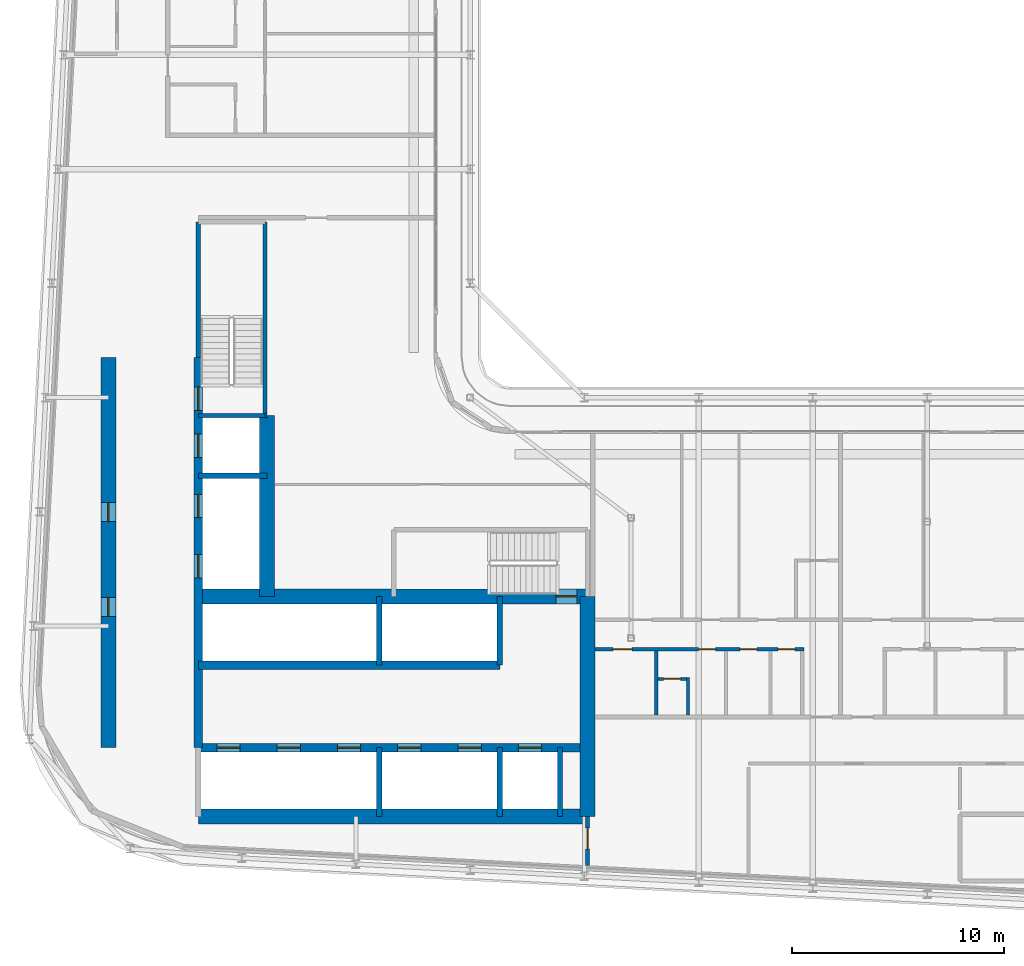
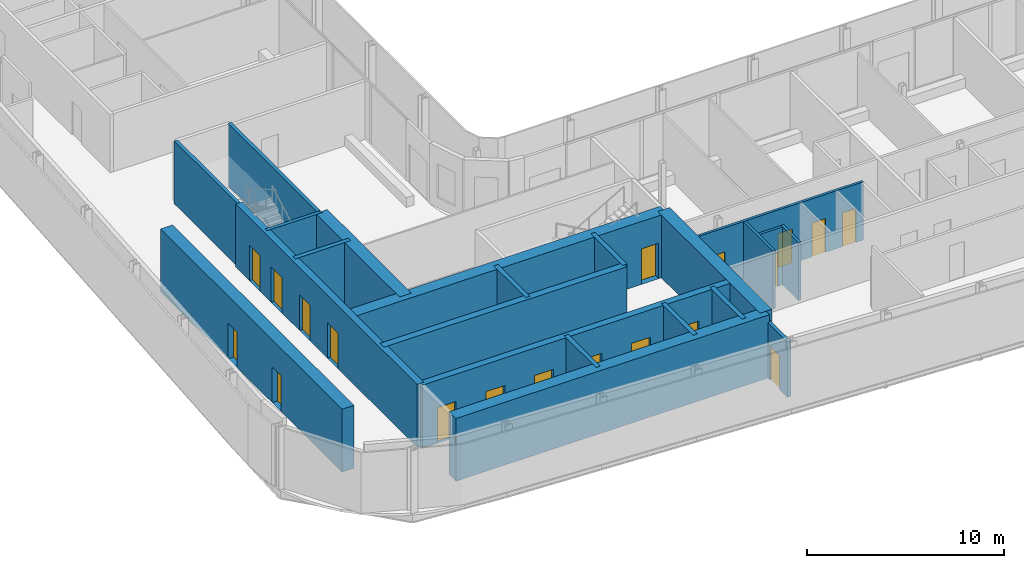
# One storey, part 10 of 22: 23 walls, 19 doors, 19 openings.
"""IFC4 building model written with IfcOpenShell, lengths in metres."""

from ifc_helpers import new_model, si_unit, direction, frame, frame_2d, origin, place, context, subcontext, project, spatial, rectangle, extrude, source, transform, mapped, material, layer, layer_set, type_object, element, fill, save


model = new_model("IFC4")

# Units and contexts
model_context = context("Model", 3, precision=1e-05, world=origin(), true_north=direction((0.0, 1.0)))
body_context = subcontext(model_context, "Body", "Model", "MODEL_VIEW")
ifc_project = project(units=[si_unit("LENGTHUNIT", "METRE"), si_unit("AREAUNIT", "SQUARE_METRE"), si_unit("VOLUMEUNIT", "CUBIC_METRE"), si_unit("PLANEANGLEUNIT", "RADIAN"), si_unit("MASSUNIT", "GRAM", prefix="KILO")], contexts=[model_context])

# Site, building, storey
site_placement = place(None, origin())
site = spatial("IfcSite", under=ifc_project, at=site_placement, CompositionType="ELEMENT")
building_placement = place(site_placement, origin())
building = spatial("IfcBuilding", under=site, at=building_placement, Name="Kheshtan School and Residences Tower", CompositionType="ELEMENT")
storey_placement = place(building_placement, frame((0.0, 0.0, 216.199951171875)))
storey = spatial("IfcBuildingStorey", under=building, at=storey_placement, Name="L50", CompositionType="ELEMENT", Elevation=216.199951171875)

# Wall, openings, doors
ifc_material_1 = material(Name="Concrete C50/60", Category="concrete")
ifc_layer_1 = layer(ifc_material_1, 0.39990234375)
ifc_layer_set_1 = layer_set([ifc_layer_1], Name="Core wall 400 Concrete C50/60")
wall_type_1 = type_object("IfcWallType", Name="Core wall 400 Concrete C50/60", PredefinedType="SHEAR", material=ifc_layer_set_1)
wall_1_placement = place(storey_placement, frame((34.75, 29.050048828125, 0.0), z_axis=(0.0, 0.0, 1.0), x_axis=(1.0, 0.0, 0.0)))
wall_1 = element("IfcWall", 1, at=wall_1_placement, inside=storey, type_object=wall_type_1, Name="Core wall CW-HALL-S1", PredefinedType="SHEAR", context=body_context, shape_type="SweptSolid", body=[
    extrude(rectangle(XDim=18.39990234375, YDim=0.39990234375, at=frame_2d((9.199951171875, 0.0))), origin(), (0.0, 0.0, 1.0), 3.900146484375),
])
opening_1_placement = place(wall_1_placement, frame((0.875, 0.0, 0.0)))
opening_1 = element("IfcOpeningElement", 2, at=opening_1_placement, cuts=wall_1, Name="Opening LD", PredefinedType="OPENING", context=body_context, shape_type="SweptSolid", body=[
    extrude(rectangle(XDim=1.10009765625, YDim=2.199951171875, at=frame_2d((0.550048828125, 1.10009765625))), frame((0.0, 0.2099609375, 0.0), z_axis=(0.0, -1.0, 0.0), x_axis=(1.0, 0.0, 0.0)), (0.0, 0.0, 1.0), 0.419921875),
])
opening_2_placement = place(wall_1_placement, frame((3.72509765625, 0.0, 0.0)))
opening_2 = element("IfcOpeningElement", 3, at=opening_2_placement, cuts=wall_1, Name="Opening LD", PredefinedType="OPENING", context=body_context, shape_type="SweptSolid", body=[
    extrude(rectangle(XDim=1.10009765625, YDim=2.199951171875, at=frame_2d((0.550048828125, 1.10009765625))), frame((0.0, 0.2099609375, 0.0), z_axis=(0.0, -1.0, 0.0), x_axis=(1.0, 0.0, 0.0)), (0.0, 0.0, 1.0), 0.419921875),
])
opening_3_placement = place(wall_1_placement, frame((6.574951171875, 0.0, 0.0)))
opening_3 = element("IfcOpeningElement", 4, at=opening_3_placement, cuts=wall_1, Name="Opening LD", PredefinedType="OPENING", context=body_context, shape_type="SweptSolid", body=[
    extrude(rectangle(XDim=1.10009765625, YDim=2.199951171875, at=frame_2d((0.550048828125, 1.10009765625))), frame((0.0, 0.2099609375, 0.0), z_axis=(0.0, -1.0, 0.0), x_axis=(1.0, 0.0, 0.0)), (0.0, 0.0, 1.0), 0.419921875),
])
opening_4_placement = place(wall_1_placement, frame((9.425048828125, 0.0, 0.0)))
opening_4 = element("IfcOpeningElement", 5, at=opening_4_placement, cuts=wall_1, Name="Opening LD", PredefinedType="OPENING", context=body_context, shape_type="SweptSolid", body=[
    extrude(rectangle(XDim=1.10009765625, YDim=2.199951171875, at=frame_2d((0.550048828125, 1.10009765625))), frame((0.0, 0.2099609375, 0.0), z_axis=(0.0, -1.0, 0.0), x_axis=(1.0, 0.0, 0.0)), (0.0, 0.0, 1.0), 0.419921875),
])
opening_5_placement = place(wall_1_placement, frame((12.27490234375, 0.0, 0.0)))
opening_5 = element("IfcOpeningElement", 6, at=opening_5_placement, cuts=wall_1, Name="Opening LD", PredefinedType="OPENING", context=body_context, shape_type="SweptSolid", body=[
    extrude(rectangle(XDim=1.10009765625, YDim=2.199951171875, at=frame_2d((0.550048828125, 1.10009765625))), frame((0.0, 0.2099609375, 0.0), z_axis=(0.0, -1.0, 0.0), x_axis=(1.0, 0.0, 0.0)), (0.0, 0.0, 1.0), 0.419921875),
])
opening_6_placement = place(wall_1_placement, frame((15.125, 0.0, 0.0)))
opening_6 = element("IfcOpeningElement", 7, at=opening_6_placement, cuts=wall_1, Name="Opening LD", PredefinedType="OPENING", context=body_context, shape_type="SweptSolid", body=[
    extrude(rectangle(XDim=1.10009765625, YDim=2.199951171875, at=frame_2d((0.550048828125, 1.10009765625))), frame((0.0, 0.2099609375, 0.0), z_axis=(0.0, -1.0, 0.0), x_axis=(1.0, 0.0, 0.0)), (0.0, 0.0, 1.0), 0.419921875),
])
ifc_material_2 = material(Name="Stainless steel door leaves", Category="steel")
door_type_1 = type_object("IfcDoorType", Name="Lift landing door 1100", OperationType="SLIDING_TO_LEFT", PredefinedType="DOOR", material=ifc_material_2)
shared_shape_1 = source(origin(), body_context, "Body", "SweptSolid", [
    extrude(rectangle(XDim=1.10009765625, YDim=2.199951171875, at=frame_2d((0.550048828125, 1.10009765625))), frame((0.0, 0.02490234375, 0.0), z_axis=(0.0, -1.0, 0.0), x_axis=(1.0, 0.0, 0.0)), (0.0, 0.0, 1.0), 0.050048828125),
])
door_1_placement = place(opening_1_placement, origin())
door_1 = element("IfcDoor", 8, at=door_1_placement, inside=storey, type_object=door_type_1, Name="Lift P7 landing door", OperationType="SLIDING_TO_LEFT", OverallHeight=2.199951171875, OverallWidth=1.10009765625, PredefinedType="DOOR", context=body_context, shape_type="MappedRepresentation", body=[
    mapped(shared_shape_1, transform((0.0, 0.0, 0.0), x_axis=(1.0, 0.0, 0.0), y_axis=(0.0, 1.0, 0.0), z_axis=(0.0, 0.0, 1.0), scale=1.0)),
])
fill(opening_1, door_1)
door_2_placement = place(opening_2_placement, origin())
door_2 = element("IfcDoor", 9, at=door_2_placement, inside=storey, type_object=door_type_1, Name="Lift P8 landing door", OperationType="SLIDING_TO_LEFT", OverallHeight=2.199951171875, OverallWidth=1.10009765625, PredefinedType="DOOR", context=body_context, shape_type="MappedRepresentation", body=[
    mapped(shared_shape_1, transform((0.0, 0.0, 0.0), x_axis=(1.0, 0.0, 0.0), y_axis=(0.0, 1.0, 0.0), z_axis=(0.0, 0.0, 1.0), scale=1.0)),
])
fill(opening_2, door_2)
door_3_placement = place(opening_3_placement, origin())
door_3 = element("IfcDoor", 10, at=door_3_placement, inside=storey, type_object=door_type_1, Name="Lift P9 landing door", OperationType="SLIDING_TO_LEFT", OverallHeight=2.199951171875, OverallWidth=1.10009765625, PredefinedType="DOOR", context=body_context, shape_type="MappedRepresentation", body=[
    mapped(shared_shape_1, transform((0.0, 0.0, 0.0), x_axis=(1.0, 0.0, 0.0), y_axis=(0.0, 1.0, 0.0), z_axis=(0.0, 0.0, 1.0), scale=1.0)),
])
fill(opening_3, door_3)
door_4_placement = place(opening_4_placement, origin())
door_4 = element("IfcDoor", 11, at=door_4_placement, inside=storey, type_object=door_type_1, Name="Lift P10 landing door", OperationType="SLIDING_TO_LEFT", OverallHeight=2.199951171875, OverallWidth=1.10009765625, PredefinedType="DOOR", context=body_context, shape_type="MappedRepresentation", body=[
    mapped(shared_shape_1, transform((0.0, 0.0, 0.0), x_axis=(1.0, 0.0, 0.0), y_axis=(0.0, 1.0, 0.0), z_axis=(0.0, 0.0, 1.0), scale=1.0)),
])
fill(opening_4, door_4)
door_5_placement = place(opening_5_placement, origin())
door_5 = element("IfcDoor", 12, at=door_5_placement, inside=storey, type_object=door_type_1, Name="Lift P11 landing door", OperationType="SLIDING_TO_LEFT", OverallHeight=2.199951171875, OverallWidth=1.10009765625, PredefinedType="DOOR", context=body_context, shape_type="MappedRepresentation", body=[
    mapped(shared_shape_1, transform((0.0, 0.0, 0.0), x_axis=(1.0, 0.0, 0.0), y_axis=(0.0, 1.0, 0.0), z_axis=(0.0, 0.0, 1.0), scale=1.0)),
])
fill(opening_5, door_5)
door_6_placement = place(opening_6_placement, origin())
door_6 = element("IfcDoor", 13, at=door_6_placement, inside=storey, type_object=door_type_1, Name="Lift FFL2 landing door", OperationType="SLIDING_TO_LEFT", OverallHeight=2.199951171875, OverallWidth=1.10009765625, PredefinedType="DOOR", context=body_context, shape_type="MappedRepresentation", body=[
    mapped(shared_shape_1, transform((0.0, 0.0, 0.0), x_axis=(1.0, 0.0, 0.0), y_axis=(0.0, 1.0, 0.0), z_axis=(0.0, 0.0, 1.0), scale=1.0)),
])
fill(opening_6, door_6)

# Wall
wall_2_placement = place(storey_placement, frame((34.75, 32.949951171875, 0.0), z_axis=(0.0, 0.0, 1.0), x_axis=(1.0, 0.0, 0.0)))
element("IfcWall", 14, at=wall_2_placement, inside=storey, type_object=wall_type_1, Name="Core wall CW-HALL-S2", PredefinedType="SHEAR", context=body_context, shape_type="SweptSolid", body=[
    extrude(rectangle(XDim=14.25, YDim=0.39990234375, at=frame_2d((7.125, 0.0))), origin(), (0.0, 0.0, 1.0), 3.900146484375),
])

# Wall, openings, doors
wall_3_placement = place(storey_placement, frame((34.75, 29.050048828125, 0.0), z_axis=(0.0, 0.0, 1.0), x_axis=(0.0, 1.0, 0.0)))
wall_3 = element("IfcWall", 15, at=wall_3_placement, inside=storey, type_object=wall_type_1, Name="Core wall CW-HALL-W1", PredefinedType="SHEAR", context=body_context, shape_type="SweptSolid", body=[
    extrude(rectangle(XDim=18.449951171875, YDim=0.39990234375, at=frame_2d((9.22509765625, 0.0))), origin(), (0.0, 0.0, 1.0), 3.900146484375),
])
opening_7_placement = place(wall_3_placement, frame((8.02490234375, 0.0, 0.0)))
opening_7 = element("IfcOpeningElement", 16, at=opening_7_placement, cuts=wall_3, Name="Opening LD", PredefinedType="OPENING", context=body_context, shape_type="SweptSolid", body=[
    extrude(rectangle(XDim=1.10009765625, YDim=2.199951171875, at=frame_2d((0.550048828125, 1.10009765625))), frame((0.0, 0.2099609375, 0.0), z_axis=(0.0, -1.0, 0.0), x_axis=(1.0, 0.0, 0.0)), (0.0, 0.0, 1.0), 0.419921875),
])
opening_8_placement = place(wall_3_placement, frame((10.875, 0.0, 0.0)))
opening_8 = element("IfcOpeningElement", 17, at=opening_8_placement, cuts=wall_3, Name="Opening LD", PredefinedType="OPENING", context=body_context, shape_type="SweptSolid", body=[
    extrude(rectangle(XDim=1.10009765625, YDim=2.199951171875, at=frame_2d((0.550048828125, 1.10009765625))), frame((0.0, 0.2099609375, 0.0), z_axis=(0.0, -1.0, 0.0), x_axis=(1.0, 0.0, 0.0)), (0.0, 0.0, 1.0), 0.419921875),
])
opening_9_placement = place(wall_3_placement, frame((13.72509765625, 0.0, 0.0)))
opening_9 = element("IfcOpeningElement", 18, at=opening_9_placement, cuts=wall_3, Name="Opening LD", PredefinedType="OPENING", context=body_context, shape_type="SweptSolid", body=[
    extrude(rectangle(XDim=1.10009765625, YDim=2.199951171875, at=frame_2d((0.550048828125, 1.10009765625))), frame((0.0, 0.2099609375, 0.0), z_axis=(0.0, -1.0, 0.0), x_axis=(1.0, 0.0, 0.0)), (0.0, 0.0, 1.0), 0.419921875),
])
opening_10_placement = place(wall_3_placement, frame((15.949951171875, 0.0, 0.0)))
opening_10 = element("IfcOpeningElement", 19, at=opening_10_placement, cuts=wall_3, Name="Opening ST2D", PredefinedType="OPENING", context=body_context, shape_type="SweptSolid", body=[
    extrude(rectangle(XDim=1.10009765625, YDim=2.199951171875, at=frame_2d((0.550048828125, 1.10009765625))), frame((0.0, 0.2099609375, 0.0), z_axis=(0.0, -1.0, 0.0), x_axis=(1.0, 0.0, 0.0)), (0.0, 0.0, 1.0), 0.419921875),
])
door_7_placement = place(opening_7_placement, origin())
door_7 = element("IfcDoor", 20, at=door_7_placement, inside=storey, type_object=door_type_1, Name="Lift SV1 landing door", OperationType="SLIDING_TO_LEFT", OverallHeight=2.199951171875, OverallWidth=1.10009765625, PredefinedType="DOOR", context=body_context, shape_type="MappedRepresentation", body=[
    mapped(shared_shape_1, transform((0.0, 0.0, 0.0), x_axis=(1.0, 0.0, 0.0), y_axis=(0.0, 1.0, 0.0), z_axis=(0.0, 0.0, 1.0), scale=1.0)),
])
fill(opening_7, door_7)
door_8_placement = place(opening_8_placement, origin())
door_8 = element("IfcDoor", 21, at=door_8_placement, inside=storey, type_object=door_type_1, Name="Lift SV2 landing door", OperationType="SLIDING_TO_LEFT", OverallHeight=2.199951171875, OverallWidth=1.10009765625, PredefinedType="DOOR", context=body_context, shape_type="MappedRepresentation", body=[
    mapped(shared_shape_1, transform((0.0, 0.0, 0.0), x_axis=(1.0, 0.0, 0.0), y_axis=(0.0, 1.0, 0.0), z_axis=(0.0, 0.0, 1.0), scale=1.0)),
])
fill(opening_8, door_8)
door_9_placement = place(opening_9_placement, origin())
door_9 = element("IfcDoor", 22, at=door_9_placement, inside=storey, type_object=door_type_1, Name="Lift FFL1 landing door", OperationType="SLIDING_TO_LEFT", OverallHeight=2.199951171875, OverallWidth=1.10009765625, PredefinedType="DOOR", context=body_context, shape_type="MappedRepresentation", body=[
    mapped(shared_shape_1, transform((0.0, 0.0, 0.0), x_axis=(1.0, 0.0, 0.0), y_axis=(0.0, 1.0, 0.0), z_axis=(0.0, 0.0, 1.0), scale=1.0)),
])
fill(opening_9, door_9)
ifc_material_3 = material(Name="Steel door leaf, galvanised", Category="steel")
door_type_2 = type_object("IfcDoorType", Name="Stair door 1100 steel 90 min", OperationType="SINGLE_SWING_LEFT", PredefinedType="DOOR", material=ifc_material_3)
shared_shape_2 = source(origin(), body_context, "Body", "SweptSolid", [
    extrude(rectangle(XDim=1.10009765625, YDim=2.199951171875, at=frame_2d((0.550048828125, 1.10009765625))), frame((0.0, 0.02490234375, 0.0), z_axis=(0.0, -1.0, 0.0), x_axis=(1.0, 0.0, 0.0)), (0.0, 0.0, 1.0), 0.050048828125),
])
door_10_placement = place(opening_10_placement, origin())
door_10 = element("IfcDoor", 23, at=door_10_placement, inside=storey, type_object=door_type_2, Name="Stair ST2 door", OperationType="SINGLE_SWING_RIGHT", OverallHeight=2.199951171875, OverallWidth=1.10009765625, PredefinedType="DOOR", context=body_context, shape_type="MappedRepresentation", body=[
    mapped(shared_shape_2, transform((0.0, 0.0, 0.0), x_axis=(1.0, 0.0, 0.0), y_axis=(0.0, 1.0, 0.0), z_axis=(0.0, 0.0, 1.0), scale=1.0)),
])
fill(opening_10, door_10)

# Wall
ifc_material_4 = material(Name="Concrete C70/85", Category="concrete")
ifc_layer_2 = layer(ifc_material_4, 0.699951171875)
ifc_layer_set_2 = layer_set([ifc_layer_2], Name="Core wall 700 Concrete C70/85")
wall_type_2 = type_object("IfcWallType", Name="Core wall 700 Concrete C70/85", PredefinedType="SHEAR", material=ifc_layer_set_2)
wall_4_placement = place(storey_placement, frame((34.75, 25.800048828125, 0.0), z_axis=(0.0, 0.0, 1.0), x_axis=(1.0, 0.0, 0.0)))
element("IfcWall", 24, at=wall_4_placement, inside=storey, type_object=wall_type_2, Name="Core wall CW-REAR-S", PredefinedType="SHEAR", context=body_context, shape_type="SweptSolid", body=[
    extrude(rectangle(XDim=18.39990234375, YDim=0.699951171875, at=frame_2d((9.199951171875, 0.0))), origin(), (0.0, 0.0, 1.0), 3.900146484375),
])

# Wall, opening, door
wall_5_placement = place(storey_placement, frame((34.75, 36.199951171875, 0.0), z_axis=(0.0, 0.0, 1.0), x_axis=(1.0, 0.0, 0.0)))
wall_5 = element("IfcWall", 25, at=wall_5_placement, inside=storey, type_object=wall_type_2, Name="Core wall CW-FRONT-S", PredefinedType="SHEAR", context=body_context, shape_type="SweptSolid", body=[
    extrude(rectangle(XDim=18.39990234375, YDim=0.699951171875, at=frame_2d((9.199951171875, 0.0))), origin(), (0.0, 0.0, 1.0), 3.900146484375),
])
opening_11_placement = place(wall_5_placement, frame((16.89990234375, 0.0, 0.0)))
opening_11 = element("IfcOpeningElement", 26, at=opening_11_placement, cuts=wall_5, Name="Opening ST1D", PredefinedType="OPENING", context=body_context, shape_type="SweptSolid", body=[
    extrude(rectangle(XDim=1.0, YDim=2.199951171875, at=frame_2d((0.5, 1.10009765625))), frame((0.0, 0.35986328125, 0.0), z_axis=(0.0, -1.0, 0.0), x_axis=(1.0, 0.0, 0.0)), (0.0, 0.0, 1.0), 0.719970703125),
])
shared_shape_3 = source(origin(), body_context, "Body", "SweptSolid", [
    extrude(rectangle(XDim=1.0, YDim=2.199951171875, at=frame_2d((0.5, 1.10009765625))), frame((0.0, 0.02490234375, 0.0), z_axis=(0.0, -1.0, 0.0), x_axis=(1.0, 0.0, 0.0)), (0.0, 0.0, 1.0), 0.050048828125),
])
door_11_placement = place(opening_11_placement, origin())
door_11 = element("IfcDoor", 27, at=door_11_placement, inside=storey, type_object=door_type_2, Name="Stair ST1 door", OperationType="SINGLE_SWING_RIGHT", OverallHeight=2.199951171875, OverallWidth=1.0, PredefinedType="DOOR", context=body_context, shape_type="MappedRepresentation", body=[
    mapped(shared_shape_3, transform((0.0, 0.0, 0.0), x_axis=(1.0, 0.0, 0.0), y_axis=(0.0, 1.0, 0.0), z_axis=(0.0, 0.0, 1.0), scale=1.0)),
])
fill(opening_11, door_11)

# Wall
wall_6_placement = place(storey_placement, frame((38.0, 36.199951171875, 0.0), z_axis=(0.0, 0.0, 1.0), x_axis=(0.0, 1.0, 0.0)))
element("IfcWall", 28, at=wall_6_placement, inside=storey, type_object=wall_type_2, Name="Core wall CW-FRONT-W", PredefinedType="SHEAR", context=body_context, shape_type="SweptSolid", body=[
    extrude(rectangle(XDim=8.550048828125, YDim=0.699951171875, at=frame_2d((4.27490234375, 0.0))), origin(), (0.0, 0.0, 1.0), 3.900146484375),
])

# Wall, openings, doors
wall_7_placement = place(storey_placement, frame((30.5, 29.050048828125, 0.0), z_axis=(0.0, 0.0, 1.0), x_axis=(0.0, 1.0, 0.0)))
wall_7 = element("IfcWall", 29, at=wall_7_placement, inside=storey, type_object=wall_type_2, Name="Core wall CW-REAR-W", PredefinedType="SHEAR", context=body_context, shape_type="SweptSolid", body=[
    extrude(rectangle(XDim=18.449951171875, YDim=0.699951171875, at=frame_2d((9.22509765625, 0.0))), origin(), (0.0, 0.0, 1.0), 3.900146484375),
])
opening_12_placement = place(wall_7_placement, frame((6.2099609375, 0.0, 0.0)))
opening_12 = element("IfcOpeningElement", 30, at=opening_12_placement, cuts=wall_7, Name="Opening SR90", PredefinedType="OPENING", context=body_context, shape_type="SweptSolid", body=[
    extrude(rectangle(XDim=0.89990234375, YDim=2.199951171875, at=frame_2d((0.449951171875, 1.10009765625))), frame((0.0, 0.35986328125, 0.0), z_axis=(0.0, -1.0, 0.0), x_axis=(1.0, 0.0, 0.0)), (0.0, 0.0, 1.0), 0.719970703125),
])
opening_13_placement = place(wall_7_placement, frame((10.68408203125, 0.0, 0.0)))
opening_13 = element("IfcOpeningElement", 31, at=opening_13_placement, cuts=wall_7, Name="Opening SR90", PredefinedType="OPENING", context=body_context, shape_type="SweptSolid", body=[
    extrude(rectangle(XDim=0.89990234375, YDim=2.199951171875, at=frame_2d((0.449951171875, 1.10009765625))), frame((0.0, 0.35986328125, 0.0), z_axis=(0.0, -1.0, 0.0), x_axis=(1.0, 0.0, 0.0)), (0.0, 0.0, 1.0), 0.719970703125),
])
door_type_3 = type_object("IfcDoorType", Name="Service room door 900 steel 90 min", OperationType="SINGLE_SWING_LEFT", PredefinedType="DOOR", material=ifc_material_3)
shared_shape_4 = source(origin(), body_context, "Body", "SweptSolid", [
    extrude(rectangle(XDim=0.89990234375, YDim=2.199951171875, at=frame_2d((0.449951171875, 1.10009765625))), frame((0.0, 0.02490234375, 0.0), z_axis=(0.0, -1.0, 0.0), x_axis=(1.0, 0.0, 0.0)), (0.0, 0.0, 1.0), 0.050048828125),
])
door_12_placement = place(opening_12_placement, origin())
door_12 = element("IfcDoor", 32, at=door_12_placement, inside=storey, type_object=door_type_3, Name="Service room door", OperationType="SINGLE_SWING_RIGHT", OverallHeight=2.199951171875, OverallWidth=0.89990234375, PredefinedType="DOOR", context=body_context, shape_type="MappedRepresentation", body=[
    mapped(shared_shape_4, transform((0.0, 0.0, 0.0), x_axis=(1.0, 0.0, 0.0), y_axis=(0.0, 1.0, 0.0), z_axis=(0.0, 0.0, 1.0), scale=1.0)),
])
fill(opening_12, door_12)
door_13_placement = place(opening_13_placement, origin())
door_13 = element("IfcDoor", 33, at=door_13_placement, inside=storey, type_object=door_type_3, Name="Service room door", OperationType="SINGLE_SWING_LEFT", OverallHeight=2.199951171875, OverallWidth=0.89990234375, PredefinedType="DOOR", context=body_context, shape_type="MappedRepresentation", body=[
    mapped(shared_shape_4, transform((0.0, 0.0, 0.0), x_axis=(1.0, 0.0, 0.0), y_axis=(0.0, 1.0, 0.0), z_axis=(0.0, 0.0, 1.0), scale=1.0)),
])
fill(opening_13, door_13)

# Wall
wall_8_placement = place(storey_placement, frame((53.14990234375, 25.800048828125, 0.0), z_axis=(0.0, 0.0, 1.0), x_axis=(0.0, 1.0, 0.0)))
element("IfcWall", 34, at=wall_8_placement, inside=storey, type_object=wall_type_2, Name="Core wall CW-EAST", PredefinedType="SHEAR", context=body_context, shape_type="SweptSolid", body=[
    extrude(rectangle(XDim=10.39990234375, YDim=0.699951171875, at=frame_2d((5.199951171875, 0.0))), origin(), (0.0, 0.0, 1.0), 3.900146484375),
])

# Wall, opening, door
ifc_material_5 = material(Name="Gypsum board on steel studs with fire boards", Category="steel")
ifc_layer_3 = layer(ifc_material_5, 0.199951171875)
ifc_layer_set_3 = layer_set([ifc_layer_3], Name="Corridor wall 200")
wall_type_3 = type_object("IfcWallType", Name="Corridor wall 200", PredefinedType="PARTITIONING", material=ifc_layer_set_3)
wall_9_placement = place(storey_placement, frame((53.14990234375, 23.472412109375, 0.0), z_axis=(0.0, 0.0, 1.0), x_axis=(0.0, 1.0, 0.0)))
wall_9 = element("IfcWall", 35, at=wall_9_placement, inside=storey, type_object=wall_type_3, Name="Partition L50-022", PredefinedType="PARTITIONING", context=body_context, shape_type="SweptSolid", body=[
    extrude(rectangle(XDim=2.32763671875, YDim=0.199951171875, at=frame_2d((1.163818359375, 0.0))), origin(), (0.0, 0.0, 1.0), 3.447021484375),
])
opening_14_placement = place(wall_9_placement, frame((0.784912109375, 0.0, 0.0)))
opening_14 = element("IfcOpeningElement", 36, at=opening_14_placement, cuts=wall_9, Name="Opening D50-036", PredefinedType="OPENING", context=body_context, shape_type="SweptSolid", body=[
    extrude(rectangle(XDim=1.0, YDim=2.10009765625, at=frame_2d((0.5, 1.050048828125))), frame((0.0, 0.10986328125, 0.0), z_axis=(0.0, -1.0, 0.0), x_axis=(1.0, 0.0, 0.0)), (0.0, 0.0, 1.0), 0.219970703125),
])
ifc_material_6 = material(Name="Steel-framed fire-resisting door leaf", Category="steel")
door_type_4 = type_object("IfcDoorType", Name="Fire door FD60 1000 x 2100", OperationType="SINGLE_SWING_LEFT", PredefinedType="DOOR", material=ifc_material_6)
shared_shape_5 = source(origin(), body_context, "Body", "SweptSolid", [
    extrude(rectangle(XDim=1.0, YDim=2.10009765625, at=frame_2d((0.5, 1.050048828125))), frame((0.0, 0.02490234375, 0.0), z_axis=(0.0, -1.0, 0.0), x_axis=(1.0, 0.0, 0.0)), (0.0, 0.0, 1.0), 0.050048828125),
])
door_14_placement = place(opening_14_placement, origin())
door_14 = element("IfcDoor", 37, at=door_14_placement, inside=storey, type_object=door_type_4, Name="Door D50-036", OperationType="SINGLE_SWING_RIGHT", OverallHeight=2.10009765625, OverallWidth=1.0, PredefinedType="DOOR", context=body_context, shape_type="MappedRepresentation", body=[
    mapped(shared_shape_5, transform((0.0, 0.0, 0.0), x_axis=(1.0, 0.0, 0.0), y_axis=(0.0, 1.0, 0.0), z_axis=(0.0, 0.0, 1.0), scale=1.0)),
])
fill(opening_14, door_14)

# Walls
ifc_material_7 = material(Name="Fire-board shaft wall system")
ifc_layer_4 = layer(ifc_material_7, 0.25)
ifc_layer_set_4 = layer_set([ifc_layer_4], Name="Shaft lining wall 250")
wall_type_4 = type_object("IfcWallType", Name="Shaft lining wall 250", PredefinedType="PARTITIONING", material=ifc_layer_set_4)
for number, where, z_axis, x_axis, name in (
    (38, (43.300048828125, 25.800048828125, 0.0), (0.0, 0.0, 1.0), (0.0, 1.0, 0.0), "Shaft lining wall"),
    (39, (43.300048828125, 32.949951171875, 0.0), (0.0, 0.0, 1.0), (0.0, 1.0, 0.0), "Shaft lining wall"),
    (40, (49.0, 25.800048828125, 0.0), (0.0, 0.0, 1.0), (0.0, 1.0, 0.0), "Shaft lining wall"),
    (41, (49.0, 32.949951171875, 0.0), (0.0, 0.0, 1.0), (0.0, 1.0, 0.0), "Shaft lining wall"),
    (42, (51.85009765625, 25.800048828125, 0.0), (0.0, 0.0, 1.0), (0.0, 1.0, 0.0), "Shaft lining wall"),
    (43, (34.75, 41.89990234375, 0.0), (0.0, 0.0, 1.0), (1.0, 0.0, 0.0), "Shaft lining wall"),
):
    element("IfcWall", number, at=place(storey_placement, frame(where, z_axis=z_axis, x_axis=x_axis)), inside=storey, type_object=wall_type_4, Name=name, PredefinedType="PARTITIONING", context=body_context, shape_type="SweptSolid", body=[
        extrude(rectangle(XDim=3.25, YDim=0.25, at=frame_2d((1.625, 0.0))), origin(), (0.0, 0.0, 1.0), 3.900146484375),
    ])
wall_10_placement = place(storey_placement, frame((37.89990234375, 44.75, 0.0), z_axis=(0.0, 0.0, 1.0), x_axis=(1.0, 0.0, 0.0)))
element("IfcWall", 44, at=wall_10_placement, inside=storey, type_object=wall_type_4, Name="Shaft lining wall", PredefinedType="PARTITIONING", context=body_context, shape_type="SweptSolid", body=[
    extrude(rectangle(XDim=0.10009765625, YDim=0.25, at=frame_2d((0.050048828125, 0.0))), origin(), (0.0, 0.0, 1.0), 3.900146484375),
])
ifc_material_8 = material(Name="Concrete C40/50", Category="concrete")
ifc_layer_5 = layer(ifc_material_8, 0.199951171875)
ifc_layer_set_5 = layer_set([ifc_layer_5], Name="Stair enclosure wall 200 Concrete C40/50")
wall_type_5 = type_object("IfcWallType", Name="Stair enclosure wall 200 Concrete C40/50", PredefinedType="SHEAR", material=ifc_layer_set_5)
wall_11_placement = place(storey_placement, frame((34.75, 44.75, 0.0), z_axis=(0.0, 0.0, 1.0), x_axis=(1.0, 0.0, 0.0)))
element("IfcWall", 45, at=wall_11_placement, inside=storey, type_object=wall_type_5, Name="Stair enclosure wall ST2", PredefinedType="SHEAR", context=body_context, shape_type="SweptSolid", body=[
    extrude(rectangle(XDim=3.14990234375, YDim=0.199951171875, at=frame_2d((1.574951171875, 0.0))), origin(), (0.0, 0.0, 1.0), 3.900146484375),
])
wall_12_placement = place(storey_placement, frame((34.75, 47.5, 0.0), z_axis=(0.0, 0.0, 1.0), x_axis=(0.0, 1.0, 0.0)))
element("IfcWall", 46, at=wall_12_placement, inside=storey, type_object=wall_type_5, Name="Stair enclosure wall ST2", PredefinedType="SHEAR", context=body_context, shape_type="SweptSolid", body=[
    extrude(rectangle(XDim=6.409912109375, YDim=0.199951171875, at=frame_2d((3.205078125, 0.0))), origin(), (0.0, 0.0, 1.0), 3.900146484375),
])
wall_13_placement = place(storey_placement, frame((37.89990234375, 44.75, 0.0), z_axis=(0.0, 0.0, 1.0), x_axis=(0.0, 1.0, 0.0)))
element("IfcWall", 47, at=wall_13_placement, inside=storey, type_object=wall_type_5, Name="Stair enclosure wall ST2", PredefinedType="SHEAR", context=body_context, shape_type="SweptSolid", body=[
    extrude(rectangle(XDim=9.159912109375, YDim=0.199951171875, at=frame_2d((4.580078125, 0.0))), origin(), (0.0, 0.0, 1.0), 3.900146484375),
])

# Wall, openings, doors
ifc_material_9 = material(Name="Moisture-resistant gypsum board on steel studs", Category="steel")
ifc_layer_6 = layer(ifc_material_9, 0.14990234375)
ifc_layer_set_6 = layer_set([ifc_layer_6], Name="Wet-room partition 150")
wall_type_6 = type_object("IfcWallType", Name="Wet-room partition 150", PredefinedType="PARTITIONING", material=ifc_layer_set_6)
wall_14_placement = place(storey_placement, frame((53.4990234375, 33.699951171875, 0.0), z_axis=(0.0, 0.0, 1.0), x_axis=(1.0, 0.0, 0.0)))
wall_14 = element("IfcWall", 48, at=wall_14_placement, inside=storey, type_object=wall_type_6, Name="Partition L50-025", PredefinedType="PARTITIONING", context=body_context, shape_type="SweptSolid", body=[
    extrude(rectangle(XDim=9.8759765625, YDim=0.14990234375, at=frame_2d((4.93798828125, 0.0))), origin(), (0.0, 0.0, 1.0), 3.60009765625),
])
opening_15_placement = place(wall_14_placement, frame((6.85107421875, 0.0, 0.0)))
opening_15 = element("IfcOpeningElement", 49, at=opening_15_placement, cuts=wall_14, Name="Opening D50-001", PredefinedType="OPENING", context=body_context, shape_type="SweptSolid", body=[
    extrude(rectangle(XDim=0.800048828125, YDim=2.10009765625, at=frame_2d((0.39990234375, 1.050048828125))), frame((0.0, 0.0849609375, 0.0), z_axis=(0.0, -1.0, 0.0), x_axis=(1.0, 0.0, 0.0)), (0.0, 0.0, 1.0), 0.169921875),
])
opening_16_placement = place(wall_14_placement, frame((0.85107421875, 0.0, 0.0)))
opening_16 = element("IfcOpeningElement", 50, at=opening_16_placement, cuts=wall_14, Name="Opening D50-005", PredefinedType="OPENING", context=body_context, shape_type="SweptSolid", body=[
    extrude(rectangle(XDim=0.89990234375, YDim=2.10009765625, at=frame_2d((0.449951171875, 1.050048828125))), frame((0.0, 0.0849609375, 0.0), z_axis=(0.0, -1.0, 0.0), x_axis=(1.0, 0.0, 0.0)), (0.0, 0.0, 1.0), 0.169921875),
])
opening_17_placement = place(wall_14_placement, frame((4.90087890625, 0.0, 0.0)))
opening_17 = element("IfcOpeningElement", 51, at=opening_17_placement, cuts=wall_14, Name="Opening D50-007", PredefinedType="OPENING", context=body_context, shape_type="SweptSolid", body=[
    extrude(rectangle(XDim=0.800048828125, YDim=2.10009765625, at=frame_2d((0.39990234375, 1.050048828125))), frame((0.0, 0.0849609375, 0.0), z_axis=(0.0, -1.0, 0.0), x_axis=(1.0, 0.0, 0.0)), (0.0, 0.0, 1.0), 0.169921875),
])
opening_18_placement = place(wall_14_placement, frame((8.65087890625, 0.0, 0.0)))
opening_18 = element("IfcOpeningElement", 52, at=opening_18_placement, cuts=wall_14, Name="Opening D50-010", PredefinedType="OPENING", context=body_context, shape_type="SweptSolid", body=[
    extrude(rectangle(XDim=0.800048828125, YDim=2.10009765625, at=frame_2d((0.39990234375, 1.050048828125))), frame((0.0, 0.0849609375, 0.0), z_axis=(0.0, -1.0, 0.0), x_axis=(1.0, 0.0, 0.0)), (0.0, 0.0, 1.0), 0.169921875),
])
ifc_material_10 = material(Name="Veneered timber door leaf", Category="wood")
door_type_5 = type_object("IfcDoorType", Name="Door 800 x 2100", OperationType="SINGLE_SWING_LEFT", PredefinedType="DOOR", material=ifc_material_10)
shared_shape_6 = source(origin(), body_context, "Body", "SweptSolid", [
    extrude(rectangle(XDim=0.800048828125, YDim=2.10009765625, at=frame_2d((0.39990234375, 1.050048828125))), frame((0.0, 0.02490234375, 0.0), z_axis=(0.0, -1.0, 0.0), x_axis=(1.0, 0.0, 0.0)), (0.0, 0.0, 1.0), 0.050048828125),
])
door_15_placement = place(opening_15_placement, origin())
door_15 = element("IfcDoor", 53, at=door_15_placement, inside=storey, type_object=door_type_5, Name="Door D50-001", OperationType="SINGLE_SWING_RIGHT", OverallHeight=2.10009765625, OverallWidth=0.800048828125, PredefinedType="DOOR", context=body_context, shape_type="MappedRepresentation", body=[
    mapped(shared_shape_6, transform((0.0, 0.0, 0.0), x_axis=(1.0, 0.0, 0.0), y_axis=(0.0, 1.0, 0.0), z_axis=(0.0, 0.0, 1.0), scale=1.0)),
])
fill(opening_15, door_15)
door_16_placement = place(opening_17_placement, origin())
door_16 = element("IfcDoor", 54, at=door_16_placement, inside=storey, type_object=door_type_5, Name="Door D50-007", OperationType="SINGLE_SWING_LEFT", OverallHeight=2.10009765625, OverallWidth=0.800048828125, PredefinedType="DOOR", context=body_context, shape_type="MappedRepresentation", body=[
    mapped(shared_shape_6, transform((0.0, 0.0, 0.0), x_axis=(1.0, 0.0, 0.0), y_axis=(0.0, 1.0, 0.0), z_axis=(0.0, 0.0, 1.0), scale=1.0)),
])
fill(opening_17, door_16)
door_17_placement = place(opening_18_placement, origin())
door_17 = element("IfcDoor", 55, at=door_17_placement, inside=storey, type_object=door_type_5, Name="Door D50-010", OperationType="SINGLE_SWING_RIGHT", OverallHeight=2.10009765625, OverallWidth=0.800048828125, PredefinedType="DOOR", context=body_context, shape_type="MappedRepresentation", body=[
    mapped(shared_shape_6, transform((0.0, 0.0, 0.0), x_axis=(1.0, 0.0, 0.0), y_axis=(0.0, 1.0, 0.0), z_axis=(0.0, 0.0, 1.0), scale=1.0)),
])
fill(opening_18, door_17)
door_type_6 = type_object("IfcDoorType", Name="Door 900 x 2100", OperationType="SINGLE_SWING_LEFT", PredefinedType="DOOR", material=ifc_material_10)
shared_shape_7 = source(origin(), body_context, "Body", "SweptSolid", [
    extrude(rectangle(XDim=0.89990234375, YDim=2.10009765625, at=frame_2d((0.449951171875, 1.050048828125))), frame((0.0, 0.02490234375, 0.0), z_axis=(0.0, -1.0, 0.0), x_axis=(1.0, 0.0, 0.0)), (0.0, 0.0, 1.0), 0.050048828125),
])
door_18_placement = place(opening_16_placement, origin())
door_18 = element("IfcDoor", 56, at=door_18_placement, inside=storey, type_object=door_type_6, Name="Door D50-005", OperationType="SINGLE_SWING_RIGHT", OverallHeight=2.10009765625, OverallWidth=0.89990234375, PredefinedType="DOOR", context=body_context, shape_type="MappedRepresentation", body=[
    mapped(shared_shape_7, transform((0.0, 0.0, 0.0), x_axis=(1.0, 0.0, 0.0), y_axis=(0.0, 1.0, 0.0), z_axis=(0.0, 0.0, 1.0), scale=1.0)),
])
fill(opening_16, door_18)

# Wall
wall_15_placement = place(storey_placement, frame((56.39990234375, 30.60009765625, 0.0), z_axis=(0.0, 0.0, 1.0), x_axis=(0.0, 1.0, 0.0)))
element("IfcWall", 57, at=wall_15_placement, inside=storey, type_object=wall_type_6, Name="Partition L50-027", PredefinedType="PARTITIONING", context=body_context, shape_type="SweptSolid", body=[
    extrude(rectangle(XDim=3.02490234375, YDim=0.14990234375, at=frame_2d((1.512451171875, 0.0))), origin(), (0.0, 0.0, 1.0), 3.60009765625),
])

# Wall, opening, door
wall_16_placement = place(storey_placement, frame((56.47509765625, 32.300048828125, 0.0), z_axis=(0.0, 0.0, 1.0), x_axis=(1.0, 0.0, 0.0)))
wall_16 = element("IfcWall", 58, at=wall_16_placement, inside=storey, type_object=wall_type_6, Name="Partition L50-028", PredefinedType="PARTITIONING", context=body_context, shape_type="SweptSolid", body=[
    extrude(rectangle(XDim=1.349853515625, YDim=0.14990234375, at=frame_2d((0.6748046875, 0.0))), origin(), (0.0, 0.0, 1.0), 3.60009765625),
])
opening_19_placement = place(wall_16_placement, frame((0.27490234375, 0.0, 0.0)))
opening_19 = element("IfcOpeningElement", 59, at=opening_19_placement, cuts=wall_16, Name="Opening D50-008", PredefinedType="OPENING", context=body_context, shape_type="SweptSolid", body=[
    extrude(rectangle(XDim=0.800048828125, YDim=2.10009765625, at=frame_2d((0.39990234375, 1.050048828125))), frame((0.0, 0.0849609375, 0.0), z_axis=(0.0, -1.0, 0.0), x_axis=(1.0, 0.0, 0.0)), (0.0, 0.0, 1.0), 0.169921875),
])
door_19_placement = place(opening_19_placement, origin())
door_19 = element("IfcDoor", 60, at=door_19_placement, inside=storey, type_object=door_type_5, Name="Door D50-008", OperationType="SINGLE_SWING_RIGHT", OverallHeight=2.10009765625, OverallWidth=0.800048828125, PredefinedType="DOOR", context=body_context, shape_type="MappedRepresentation", body=[
    mapped(shared_shape_6, transform((0.0, 0.0, 0.0), x_axis=(1.0, 0.0, 0.0), y_axis=(0.0, 1.0, 0.0), z_axis=(0.0, 0.0, 1.0), scale=1.0)),
])
fill(opening_19, door_19)

# Wall
wall_17_placement = place(storey_placement, frame((57.89990234375, 30.60009765625, 0.0), z_axis=(0.0, 0.0, 1.0), x_axis=(0.0, 1.0, 0.0)))
element("IfcWall", 61, at=wall_17_placement, inside=storey, type_object=wall_type_6, Name="Partition L50-030", PredefinedType="PARTITIONING", context=body_context, shape_type="SweptSolid", body=[
    extrude(rectangle(XDim=1.77490234375, YDim=0.14990234375, at=frame_2d((0.887451171875, 0.0))), origin(), (0.0, 0.0, 1.0), 3.60009765625),
])

save(model, "model.ifc")
